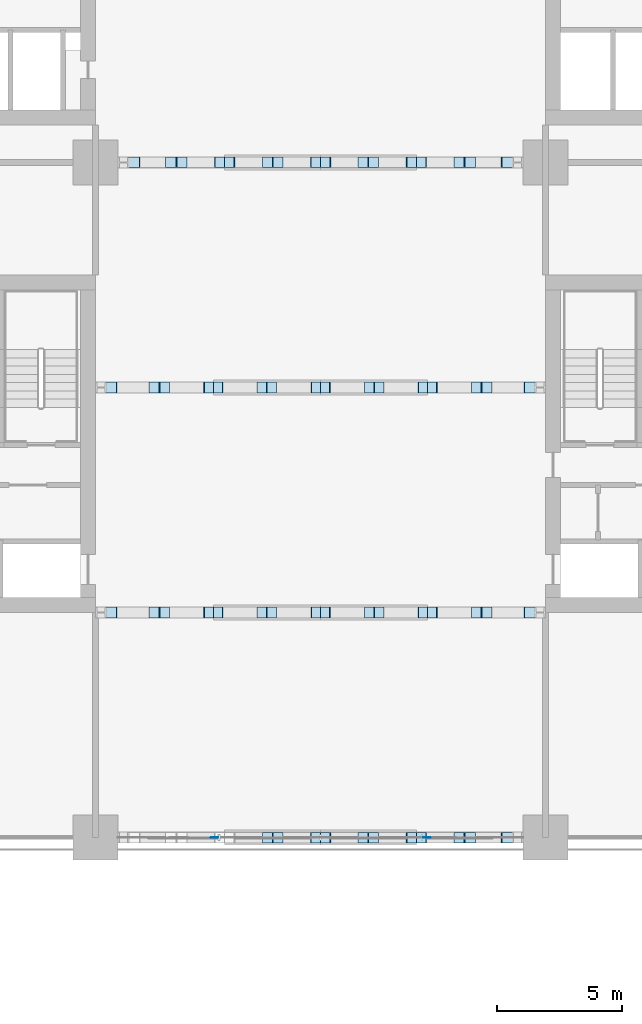
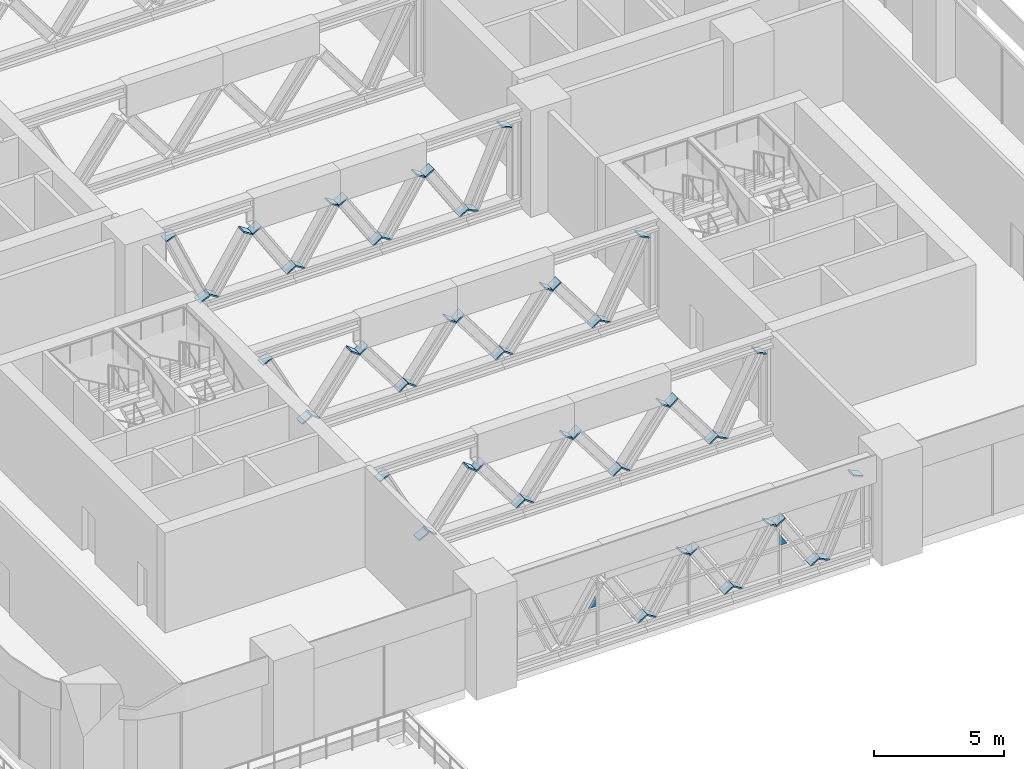
# One storey, part 19 of 35: 61 plates, 1 element without a shape of its own.
"""IFC4 building model written with IfcOpenShell, lengths in metres."""

from ifc_helpers import new_model, si_unit, direction, frame, origin, origin_2d, place, context, subcontext, project, spatial, polyline, rectangle, outline, extrude, material, layer, layer_set, type_object, element, aggregate, save


model = new_model("IFC4")

# Units and contexts
model_context = context("Model", 3, precision=1e-05, world=origin(), true_north=direction((0.0, 1.0)))
body_context = subcontext(model_context, "Body", "Model", "MODEL_VIEW")
ifc_project = project(units=[si_unit("LENGTHUNIT", "METRE"), si_unit("AREAUNIT", "SQUARE_METRE"), si_unit("VOLUMEUNIT", "CUBIC_METRE"), si_unit("PLANEANGLEUNIT", "RADIAN"), si_unit("MASSUNIT", "GRAM", prefix="KILO")], contexts=[model_context])

# Site, building, storey
site_placement = place(None, origin())
site = spatial("IfcSite", under=ifc_project, at=site_placement, CompositionType="ELEMENT")
building_placement = place(site_placement, origin())
building = spatial("IfcBuilding", under=site, at=building_placement, Name="Tessera Arch", CompositionType="ELEMENT")
storey_placement = place(building_placement, frame((0.0, 0.0, 26.0)))
storey = spatial("IfcBuildingStorey", under=building, at=storey_placement, Name="L04", CompositionType="ELEMENT", Elevation=26.0)

# Curtain wall, plates
ifc_material_1 = material(Name="CW4 curtain wall")
curtain_wall_type = type_object("IfcCurtainWallType", Name="CW4 curtain wall", PredefinedType="NOTDEFINED", material=ifc_material_1)
curtain_wall_placement = place(storey_placement, origin())
curtain_wall = element("IfcCurtainWall", 1, at=curtain_wall_placement, inside=storey, type_object=curtain_wall_type, Name="CW4 curtain wall S0.0/1 L04", PredefinedType="NOTDEFINED")
ifc_material_2 = material(Name="Clear low-e glass", Category="glass")
ifc_layer_1 = layer(ifc_material_2, 0.028076171875)
ifc_layer_set_1 = layer_set([ifc_layer_1], Name="CW4 glass panel")
plate_type_1 = type_object("IfcPlateType", Name="CW4 glass panel", PredefinedType="CURTAIN_PANEL", material=ifc_layer_set_1)
plate_1_placement = place(storey_placement, frame((22.909912109375, -0.013916015625, 1.85009765625), z_axis=(0.0, -1.0, 0.0), x_axis=(0.0, 0.0, 1.0)))
plate_1 = element("IfcPlate", 2, at=plate_1_placement, type_object=plate_type_1, Name="CW4 fitted glass panel S0.0/1 6", PredefinedType="CURTAIN_PANEL", context=body_context, shape_type="SweptSolid", body=[
    extrude(outline(polyline([(0.0, 0.0), (0.507080078125, 0.0), (0.0, 0.32373046875), (0.0, 0.0)])), origin(), (0.0, 0.0, -1.0), 0.028076171875),
])
plate_2_placement = place(storey_placement, frame((31.090087890625, -0.013916015625, 1.85009765625), z_axis=(0.0, -1.0, 0.0), x_axis=(1.0, 0.0, 0.0)))
plate_2 = element("IfcPlate", 3, at=plate_2_placement, type_object=plate_type_1, Name="CW4 fitted glass panel S0.0/1 22", PredefinedType="CURTAIN_PANEL", context=body_context, shape_type="SweptSolid", body=[
    extrude(outline(polyline([(0.0, 0.0), (0.32373046875, 0.0), (0.0, 0.507080078125), (0.0, 0.0)])), origin(), (0.0, 0.0, -1.0), 0.028076171875),
])
aggregate(curtain_wall, [plate_1, plate_2])

# Plates
ifc_material_3 = material(Name="Steel A572 Gr50", Category="steel")
ifc_layer_2 = layer(ifc_material_3, 0.06005859375)
ifc_layer_set_2 = layer_set([ifc_layer_2], Name="End plate W14x426")
plate_type_2 = type_object("IfcPlateType", Name="End plate W14x426", PredefinedType="SHEET", material=ifc_layer_set_2)
for number, where, z_axis, x_axis, name in (
    (4, (24.8740234375, 0.0, 0.711669921875), (0.537665941617, 0.0, -0.8431579539), (0.0, 1.0, 0.0), "End plate Transfer truss diagonal 3 end 2"),
    (5, (25.260986328125, 0.0, 0.6611328125), (0.537665941617, 0.0, 0.8431579539), (0.0, 1.0, 0.0), "End plate Transfer truss diagonal 4 end 1"),
    (6, (26.79052734375, 0.0, 3.05712890625), (0.535824439731, 0.0, 0.844329420183), (0.0, 1.0, 0.0), "End plate Transfer truss diagonal 4 end 2"),
    (7, (27.17724609375, 0.0, 3.10791015625), (0.535824439731, 0.0, -0.844329420183), (0.0, 1.0, 0.0), "End plate Transfer truss diagonal 5 end 1"),
    (8, (28.706787109375, 0.0, 0.711669921875), (0.537665941617, 0.0, -0.8431579539), (0.0, 1.0, 0.0), "End plate Transfer truss diagonal 5 end 2"),
    (9, (29.09375, 0.0, 0.6611328125), (0.537665941617, 0.0, 0.8431579539), (0.0, 1.0, 0.0), "End plate Transfer truss diagonal 6 end 1"),
    (10, (30.623291015625, 0.0, 3.05712890625), (0.535824439731, 0.0, 0.844329420183), (0.0, 1.0, 0.0), "End plate Transfer truss diagonal 6 end 2"),
    (11, (31.010009765625, 0.0, 3.10791015625), (0.535824439731, 0.0, -0.844329420183), (0.0, 1.0, 0.0), "End plate Transfer truss diagonal 7 end 1"),
    (12, (32.53955078125, 0.0, 0.711669921875), (0.540552159207, 0.0, -0.841310503427), (0.0, 1.0, 0.0), "End plate Transfer truss diagonal 7 end 2"),
    (13, (32.94921875, 0.0, 0.6259765625), (0.402738614266, 0.0, 0.915315032423), (0.0, 1.0, 0.0), "End plate Transfer truss diagonal 8 end 1"),
    (14, (34.441162109375, 0.0, 4.01904296875), (0.402738614266, 0.0, 0.915315032423), (0.0, 1.0, 0.0), "End plate Transfer truss diagonal 8 end 2"),
    (15, (18.6259765625, 9.0, 4.06005859375), (0.458539552628, 0.0, -0.888674000225), (0.0, 1.0, 0.0), "End plate Transfer truss diagonal 1 end 1"),
    (16, (20.356689453125, 9.0, 0.693359375), (0.455325937049, 0.0, -0.890324823337), (0.0, 1.0, 0.0), "End plate Transfer truss diagonal 1 end 2"),
    (17, (20.740234375, 9.0, 0.677734375), (0.598045411108, 0.0, 0.801462217608), (0.0, 1.0, 0.0), "End plate Transfer truss diagonal 2 end 1"),
):
    element("IfcPlate", number, at=place(storey_placement, frame(where, z_axis=z_axis, x_axis=x_axis)), inside=storey, type_object=plate_type_2, Name=name, PredefinedType="SHEET", context=body_context, shape_type="SweptSolid", body=[
        extrude(rectangle(XDim=0.424072265625, YDim=0.47412109375, at=origin_2d()), origin(), (0.0, 0.0, 1.0), 0.06005859375),
    ])
for number, where, z_axis, x_axis, name in (
    (18, (22.516845703125, 9.0, 3.043212890625), (0.6, 0.0, 0.8), (0.0, 1.0, 0.0), "End plate Transfer truss diagonal 2 end 2"),
    (19, (22.881591796875, 9.0, 3.091064453125), (0.6, 0.0, -0.8), (0.0, 1.0, 0.0), "End plate Transfer truss diagonal 3 end 1"),
):
    element("IfcPlate", number, at=place(storey_placement, frame(where, z_axis=z_axis, x_axis=x_axis)), inside=storey, type_object=plate_type_2, Name=name, PredefinedType="SHEET", context=body_context, shape_type="SweptSolid", body=[
        extrude(rectangle(XDim=0.424072265625, YDim=0.47412109375, at=origin_2d()), origin(), (0.0, 0.0, 1.0), 0.059814453125),
    ])
for number, where, z_axis, x_axis, name in (
    (20, (24.658203125, 9.0, 0.725830078125), (0.600649152784, 0.0, -0.799512723638), (0.0, 1.0, 0.0), "End plate Transfer truss diagonal 3 end 2"),
    (21, (25.02294921875, 9.0, 0.677734375), (0.600649152784, 0.0, 0.799512723638), (0.0, 1.0, 0.0), "End plate Transfer truss diagonal 4 end 1"),
    (22, (26.799560546875, 9.0, 3.043212890625), (0.602602666336, 0.0, 0.798041368931), (0.0, 1.0, 0.0), "End plate Transfer truss diagonal 4 end 2"),
    (23, (27.164306640625, 9.0, 3.091064453125), (0.602602666336, 0.0, -0.798041368931), (0.0, 1.0, 0.0), "End plate Transfer truss diagonal 5 end 1"),
    (24, (28.94091796875, 9.0, 0.725830078125), (0.600649152784, 0.0, -0.799512723638), (0.0, 1.0, 0.0), "End plate Transfer truss diagonal 5 end 2"),
    (25, (29.3056640625, 9.0, 0.677734375), (0.600649152784, 0.0, 0.799512723638), (0.0, 1.0, 0.0), "End plate Transfer truss diagonal 6 end 1"),
):
    element("IfcPlate", number, at=place(storey_placement, frame(where, z_axis=z_axis, x_axis=x_axis)), inside=storey, type_object=plate_type_2, Name=name, PredefinedType="SHEET", context=body_context, shape_type="SweptSolid", body=[
        extrude(rectangle(XDim=0.424072265625, YDim=0.47412109375, at=origin_2d()), origin(), (0.0, 0.0, 1.0), 0.06005859375),
    ])
for number, where, z_axis, x_axis, name in (
    (26, (31.08251953125, 9.0, 3.043212890625), (0.6, 0.0, 0.8), (0.0, 1.0, 0.0), "End plate Transfer truss diagonal 6 end 2"),
    (27, (31.447265625, 9.0, 3.091064453125), (0.6, 0.0, -0.8), (0.0, 1.0, 0.0), "End plate Transfer truss diagonal 7 end 1"),
):
    element("IfcPlate", number, at=place(storey_placement, frame(where, z_axis=z_axis, x_axis=x_axis)), inside=storey, type_object=plate_type_2, Name=name, PredefinedType="SHEET", context=body_context, shape_type="SweptSolid", body=[
        extrude(rectangle(XDim=0.424072265625, YDim=0.47412109375, at=origin_2d()), origin(), (0.0, 0.0, 1.0), 0.059814453125),
    ])
for number, where, z_axis, x_axis, name in (
    (28, (33.223876953125, 9.0, 0.725830078125), (0.598045411108, 0.0, -0.801462217608), (0.0, 1.0, 0.0), "End plate Transfer truss diagonal 7 end 2"),
    (29, (33.615966796875, 9.0, 0.639892578125), (0.455325937049, 0.0, 0.890324823337), (0.0, 1.0, 0.0), "End plate Transfer truss diagonal 8 end 1"),
    (30, (35.346435546875, 9.0, 4.006591796875), (0.458539552628, 0.0, 0.888674000225), (0.0, 1.0, 0.0), "End plate Transfer truss diagonal 8 end 2"),
    (31, (18.6259765625, 18.0, 4.06005859375), (0.458539552628, 0.0, -0.888674000225), (0.0, 1.0, 0.0), "End plate Transfer truss diagonal 1 end 1"),
    (32, (20.356689453125, 18.0, 0.693359375), (0.455325937049, 0.0, -0.890324823337), (0.0, 1.0, 0.0), "End plate Transfer truss diagonal 1 end 2"),
    (33, (20.740234375, 18.0, 0.677734375), (0.598045411108, 0.0, 0.801462217608), (0.0, 1.0, 0.0), "End plate Transfer truss diagonal 2 end 1"),
):
    element("IfcPlate", number, at=place(storey_placement, frame(where, z_axis=z_axis, x_axis=x_axis)), inside=storey, type_object=plate_type_2, Name=name, PredefinedType="SHEET", context=body_context, shape_type="SweptSolid", body=[
        extrude(rectangle(XDim=0.424072265625, YDim=0.47412109375, at=origin_2d()), origin(), (0.0, 0.0, 1.0), 0.06005859375),
    ])
for number, where, z_axis, x_axis, name in (
    (34, (22.516845703125, 18.0, 3.043212890625), (0.6, 0.0, 0.8), (0.0, 1.0, 0.0), "End plate Transfer truss diagonal 2 end 2"),
    (35, (22.881591796875, 18.0, 3.091064453125), (0.6, 0.0, -0.8), (0.0, 1.0, 0.0), "End plate Transfer truss diagonal 3 end 1"),
):
    element("IfcPlate", number, at=place(storey_placement, frame(where, z_axis=z_axis, x_axis=x_axis)), inside=storey, type_object=plate_type_2, Name=name, PredefinedType="SHEET", context=body_context, shape_type="SweptSolid", body=[
        extrude(rectangle(XDim=0.424072265625, YDim=0.47412109375, at=origin_2d()), origin(), (0.0, 0.0, 1.0), 0.059814453125),
    ])
for number, where, z_axis, x_axis, name in (
    (36, (24.658203125, 18.0, 0.725830078125), (0.600649152784, 0.0, -0.799512723638), (0.0, 1.0, 0.0), "End plate Transfer truss diagonal 3 end 2"),
    (37, (25.02294921875, 18.0, 0.677734375), (0.600649152784, 0.0, 0.799512723638), (0.0, 1.0, 0.0), "End plate Transfer truss diagonal 4 end 1"),
    (38, (26.799560546875, 18.0, 3.043212890625), (0.602602666336, 0.0, 0.798041368931), (0.0, 1.0, 0.0), "End plate Transfer truss diagonal 4 end 2"),
    (39, (27.164306640625, 18.0, 3.091064453125), (0.602602666336, 0.0, -0.798041368931), (0.0, 1.0, 0.0), "End plate Transfer truss diagonal 5 end 1"),
    (40, (28.94091796875, 18.0, 0.725830078125), (0.600649152784, 0.0, -0.799512723638), (0.0, 1.0, 0.0), "End plate Transfer truss diagonal 5 end 2"),
    (41, (29.3056640625, 18.0, 0.677734375), (0.600649152784, 0.0, 0.799512723638), (0.0, 1.0, 0.0), "End plate Transfer truss diagonal 6 end 1"),
):
    element("IfcPlate", number, at=place(storey_placement, frame(where, z_axis=z_axis, x_axis=x_axis)), inside=storey, type_object=plate_type_2, Name=name, PredefinedType="SHEET", context=body_context, shape_type="SweptSolid", body=[
        extrude(rectangle(XDim=0.424072265625, YDim=0.47412109375, at=origin_2d()), origin(), (0.0, 0.0, 1.0), 0.06005859375),
    ])
for number, where, z_axis, x_axis, name in (
    (42, (31.08251953125, 18.0, 3.043212890625), (0.6, 0.0, 0.8), (0.0, 1.0, 0.0), "End plate Transfer truss diagonal 6 end 2"),
    (43, (31.447265625, 18.0, 3.091064453125), (0.6, 0.0, -0.8), (0.0, 1.0, 0.0), "End plate Transfer truss diagonal 7 end 1"),
):
    element("IfcPlate", number, at=place(storey_placement, frame(where, z_axis=z_axis, x_axis=x_axis)), inside=storey, type_object=plate_type_2, Name=name, PredefinedType="SHEET", context=body_context, shape_type="SweptSolid", body=[
        extrude(rectangle(XDim=0.424072265625, YDim=0.47412109375, at=origin_2d()), origin(), (0.0, 0.0, 1.0), 0.059814453125),
    ])
for number, where, z_axis, x_axis, name in (
    (44, (33.223876953125, 18.0, 0.725830078125), (0.598045411108, 0.0, -0.801462217608), (0.0, 1.0, 0.0), "End plate Transfer truss diagonal 7 end 2"),
    (45, (33.615966796875, 18.0, 0.639892578125), (0.455325937049, 0.0, 0.890324823337), (0.0, 1.0, 0.0), "End plate Transfer truss diagonal 8 end 1"),
    (46, (35.346435546875, 18.0, 4.006591796875), (0.458539552628, 0.0, 0.888674000225), (0.0, 1.0, 0.0), "End plate Transfer truss diagonal 8 end 2"),
    (47, (19.53466796875, 27.0, 4.073974609375), (0.402738614266, 0.0, -0.915315032423), (0.0, 1.0, 0.0), "End plate Transfer truss diagonal 1 end 1"),
    (48, (21.026611328125, 27.0, 0.680908203125), (0.402738614266, 0.0, -0.915315032423), (0.0, 1.0, 0.0), "End plate Transfer truss diagonal 1 end 2"),
    (49, (21.427978515625, 27.0, 0.6611328125), (0.540552159207, 0.0, 0.841310503427), (0.0, 1.0, 0.0), "End plate Transfer truss diagonal 2 end 1"),
    (50, (22.957763671875, 27.0, 3.05712890625), (0.535824439731, 0.0, 0.844329420183), (0.0, 1.0, 0.0), "End plate Transfer truss diagonal 2 end 2"),
    (51, (23.344482421875, 27.0, 3.10791015625), (0.535824439731, 0.0, -0.844329420183), (0.0, 1.0, 0.0), "End plate Transfer truss diagonal 3 end 1"),
    (52, (24.8740234375, 27.0, 0.711669921875), (0.537665941617, 0.0, -0.8431579539), (0.0, 1.0, 0.0), "End plate Transfer truss diagonal 3 end 2"),
    (53, (25.260986328125, 27.0, 0.6611328125), (0.537665941617, 0.0, 0.8431579539), (0.0, 1.0, 0.0), "End plate Transfer truss diagonal 4 end 1"),
    (54, (26.79052734375, 27.0, 3.05712890625), (0.535824439731, 0.0, 0.844329420183), (0.0, 1.0, 0.0), "End plate Transfer truss diagonal 4 end 2"),
    (55, (27.17724609375, 27.0, 3.10791015625), (0.535824439731, 0.0, -0.844329420183), (0.0, 1.0, 0.0), "End plate Transfer truss diagonal 5 end 1"),
    (56, (28.706787109375, 27.0, 0.711669921875), (0.537665941617, 0.0, -0.8431579539), (0.0, 1.0, 0.0), "End plate Transfer truss diagonal 5 end 2"),
    (57, (29.09375, 27.0, 0.6611328125), (0.537665941617, 0.0, 0.8431579539), (0.0, 1.0, 0.0), "End plate Transfer truss diagonal 6 end 1"),
    (58, (30.623291015625, 27.0, 3.05712890625), (0.535824439731, 0.0, 0.844329420183), (0.0, 1.0, 0.0), "End plate Transfer truss diagonal 6 end 2"),
    (59, (31.010009765625, 27.0, 3.10791015625), (0.535824439731, 0.0, -0.844329420183), (0.0, 1.0, 0.0), "End plate Transfer truss diagonal 7 end 1"),
    (60, (32.53955078125, 27.0, 0.711669921875), (0.540552159207, 0.0, -0.841310503427), (0.0, 1.0, 0.0), "End plate Transfer truss diagonal 7 end 2"),
    (61, (32.94921875, 27.0, 0.6259765625), (0.402738614266, 0.0, 0.915315032423), (0.0, 1.0, 0.0), "End plate Transfer truss diagonal 8 end 1"),
    (62, (34.441162109375, 27.0, 4.01904296875), (0.402738614266, 0.0, 0.915315032423), (0.0, 1.0, 0.0), "End plate Transfer truss diagonal 8 end 2"),
):
    element("IfcPlate", number, at=place(storey_placement, frame(where, z_axis=z_axis, x_axis=x_axis)), inside=storey, type_object=plate_type_2, Name=name, PredefinedType="SHEET", context=body_context, shape_type="SweptSolid", body=[
        extrude(rectangle(XDim=0.424072265625, YDim=0.47412109375, at=origin_2d()), origin(), (0.0, 0.0, 1.0), 0.06005859375),
    ])

save(model, "model.ifc")
